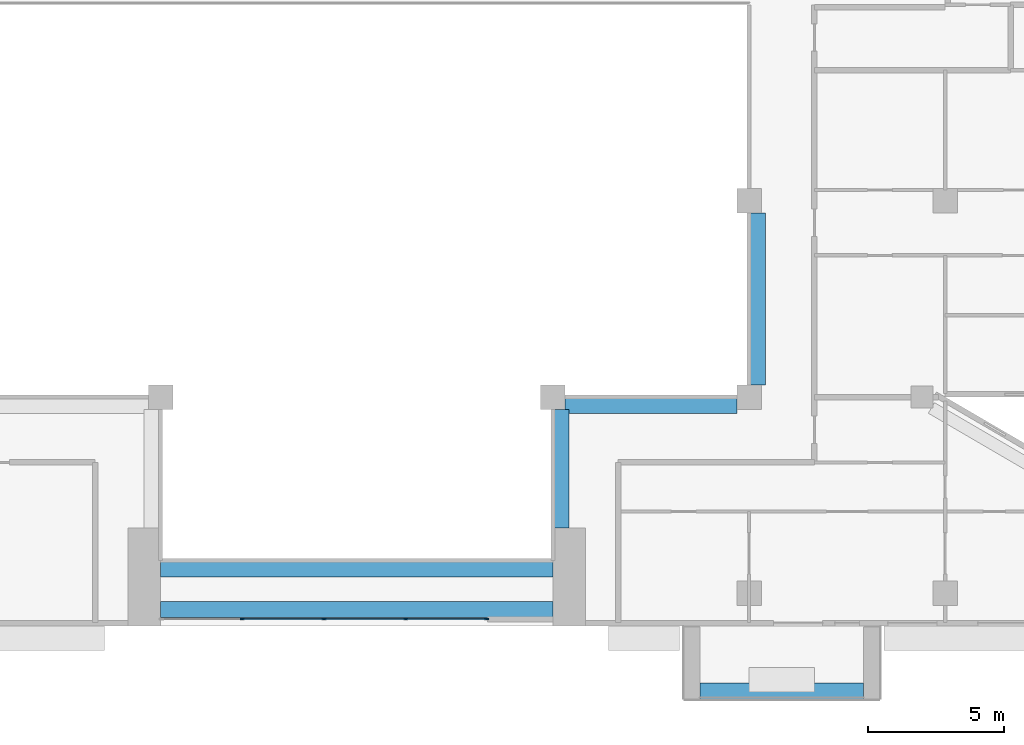
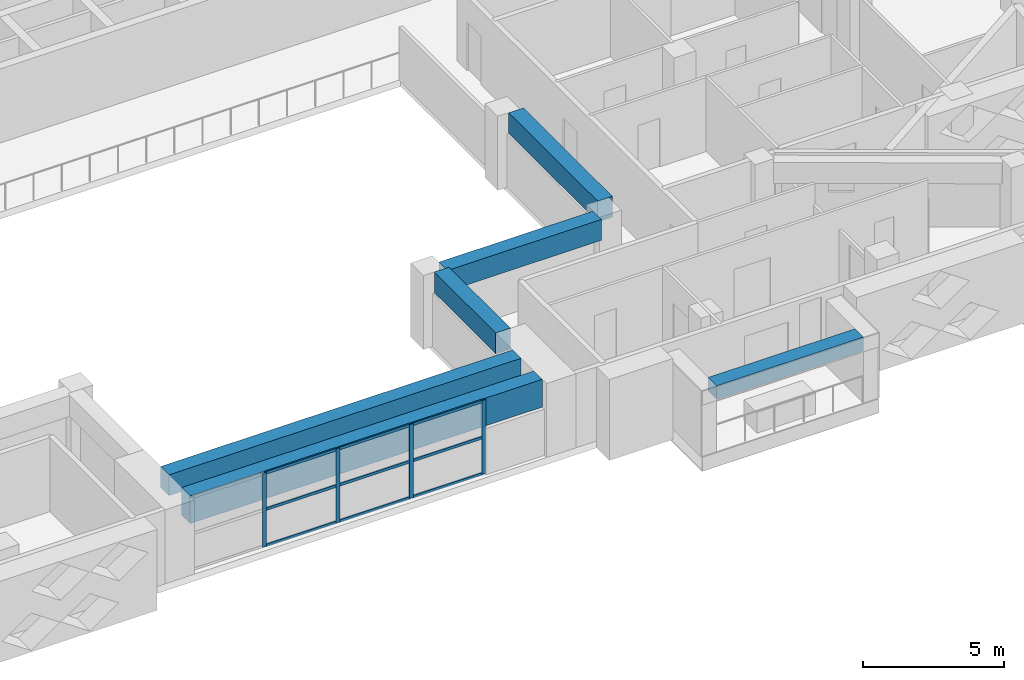
# One storey, part 4 of 20: 13 members, 6 beams, 1 element without a shape of its own.
"""IFC4 building model written with IfcOpenShell, lengths in metres."""

from ifc_helpers import new_model, si_unit, direction, frame, origin, origin_2d, place, context, subcontext, project, spatial, rectangle, extrude, source, transform, mapped, material, layer, layer_set, material_profile, profile_set, type_object, element, aggregate, save


model = new_model("IFC4")

# Units and contexts
model_context = context("Model", 3, precision=1e-05, world=origin(), true_north=direction((0.0, 1.0)))
body_context = subcontext(model_context, "Body", "Model", "MODEL_VIEW")
ifc_project = project(units=[si_unit("LENGTHUNIT", "METRE"), si_unit("AREAUNIT", "SQUARE_METRE"), si_unit("VOLUMEUNIT", "CUBIC_METRE"), si_unit("PLANEANGLEUNIT", "RADIAN"), si_unit("MASSUNIT", "GRAM", prefix="KILO")], contexts=[model_context])

# Site, building, storey
site_placement = place(None, origin())
site = spatial("IfcSite", under=ifc_project, at=site_placement, CompositionType="ELEMENT")
building_placement = place(site_placement, origin())
building = spatial("IfcBuilding", under=site, at=building_placement, Name="Saffron Iwan Residences", CompositionType="ELEMENT")
storey_placement = place(building_placement, frame((0.0, 0.0, 192.0)))
storey = spatial("IfcBuildingStorey", under=building, at=storey_placement, Name="L51", CompositionType="ELEMENT", Elevation=192.0)

# Beams
ifc_material_1 = material(Name="Concrete C50/60", Category="concrete")
ifc_material_profile_1 = material_profile(ifc_material_1, rectangle(XDim=0.60009765625, YDim=1.199951171875, at=origin_2d()), Name="RC 600x1200")
ifc_profile_set_1 = profile_set([ifc_material_profile_1], Name="Concrete C50/60")
beam_type_1 = type_object("IfcBeamType", Name="LINTEL BEAM RC 600x1200 C50/60 TOP 3200", PredefinedType="LINTEL", material=ifc_profile_set_1)
shared_shape_1 = source(origin(), body_context, "Body", "SweptSolid", [
    extrude(rectangle(XDim=0.60009765625, YDim=1.199951171875, at=origin_2d()), origin(), (0.0, 0.0, 1.0), 14.400146484375),
])
beam_1_placement = place(storey_placement, frame((57.60009765625, 40.199951171875, 2.60009765625), z_axis=(-1.0, 0.0, 0.0), x_axis=(0.0, -1.0, 0.0)))
element("IfcBeam", 1, at=beam_1_placement, inside=storey, type_object=beam_type_1, Name="Lintel beam over the iwan", PredefinedType="LINTEL", context=body_context, shape_type="MappedRepresentation", body=[
    mapped(shared_shape_1, transform((0.0, 0.0, 0.0))),
])
ifc_material_profile_2 = material_profile(ifc_material_1, rectangle(XDim=0.60009765625, YDim=0.89990234375, at=origin_2d()), Name="RC 600x900")
ifc_profile_set_2 = profile_set([ifc_material_profile_2], Name="Concrete C50/60")
beam_type_2 = type_object("IfcBeamType", Name="BEAM RC 600x900 C50/60 TOP 3200", PredefinedType="BEAM", material=ifc_profile_set_2)
shared_shape_2 = source(origin(), body_context, "Body", "SweptSolid", [
    extrude(rectangle(XDim=0.60009765625, YDim=0.89990234375, at=origin_2d()), origin(), (0.0, 0.0, 1.0), 14.400146484375),
])
beam_2_placement = place(storey_placement, frame((57.60009765625, 41.699951171875, 2.75), z_axis=(-1.0, 0.0, 0.0), x_axis=(0.0, -1.0, 0.0)))
element("IfcBeam", 2, at=beam_2_placement, inside=storey, type_object=beam_type_2, Name="Atrium edge beam", PredefinedType="BEAM", context=body_context, shape_type="MappedRepresentation", body=[
    mapped(shared_shape_2, transform((0.0, 0.0, 0.0))),
])
shared_shape_3 = source(origin(), body_context, "Body", "SweptSolid", [
    extrude(rectangle(XDim=0.60009765625, YDim=0.89990234375, at=origin_2d()), origin(), (0.0, 0.0, 1.0), 4.35009765625),
])
beam_3_placement = place(storey_placement, frame((57.89990234375, 47.550048828125, 2.75), z_axis=(0.0, -1.0, 0.0), x_axis=(1.0, 0.0, 0.0)))
element("IfcBeam", 3, at=beam_3_placement, inside=storey, type_object=beam_type_2, Name="Atrium edge beam", PredefinedType="BEAM", context=body_context, shape_type="MappedRepresentation", body=[
    mapped(shared_shape_3, transform((0.0, 0.0, 0.0))),
])
shared_shape_4 = source(origin(), body_context, "Body", "SweptSolid", [
    extrude(rectangle(XDim=0.60009765625, YDim=0.89990234375, at=origin_2d()), origin(), (0.0, 0.0, 1.0), 6.300048828125),
])
for number, where, z_axis, x_axis, name in (
    (4, (64.35009765625, 47.699951171875, 2.75), (-1.0, 0.0, 0.0), (0.0, -1.0, 0.0), "Atrium edge beam"),
    (5, (65.10009765625, 54.75, 2.75), (0.0, -1.0, 0.0), (1.0, 0.0, 0.0), "Atrium edge beam"),
):
    element("IfcBeam", number, at=place(storey_placement, frame(where, z_axis=z_axis, x_axis=x_axis)), inside=storey, type_object=beam_type_2, Name=name, PredefinedType="BEAM", context=body_context, shape_type="MappedRepresentation", body=[
        mapped(shared_shape_4, transform((0.0, 0.0, 0.0))),
    ])

# Curtain wall, members
ifc_material_2 = material(Name="Clear glass, laminated double glazed", Category="glass")
ifc_layer = layer(ifc_material_2, 0.199951171875)
ifc_layer_set = layer_set([ifc_layer], Name="Clear glass, laminated double glazed")
curtain_wall_type = type_object("IfcCurtainWallType", Name="CW-B IWAN PORTAL", PredefinedType="NOTDEFINED", material=ifc_layer_set)
curtain_wall_placement = place(storey_placement, origin())
curtain_wall = element("IfcCurtainWall", 6, at=curtain_wall_placement, inside=storey, type_object=curtain_wall_type, Name="Iwan portal glazing L51.1", PredefinedType="NOTDEFINED")
ifc_material_3 = material(Name="Aluminium 6063-T6", Category="aluminium")
ifc_material_profile_3 = material_profile(ifc_material_3, rectangle(XDim=0.06005859375, YDim=0.1201171875, at=origin_2d()), Name="CW-B TRANSOM 60 x 120")
ifc_profile_set_3 = profile_set([ifc_material_profile_3], Name="Aluminium 6063-T6")
member_type_1 = type_object("IfcMemberType", Name="CW-B TRANSOM 60 x 120", PredefinedType="USERDEFINED", material=ifc_profile_set_3)
shared_shape_5 = source(origin(), body_context, "Body", "SweptSolid", [
    extrude(rectangle(XDim=0.06005859375, YDim=0.1201171875, at=origin_2d()), origin(), (0.0, 0.0, 1.0), 2.909912109375),
])
member_1_placement = place(storey_placement, frame((52.22998046875, 39.85009765625, 0.030029296875), z_axis=(1.0, 0.0, 0.0), x_axis=(0.0, 1.0, 0.0)))
member_1 = element("IfcMember", 7, at=member_1_placement, type_object=member_type_1, Name="CW-B transom 4.1", ObjectType="TRANSOM", PredefinedType="USERDEFINED", context=body_context, shape_type="MappedRepresentation", body=[
    mapped(shared_shape_5, transform((0.0, 0.0, 0.0))),
])
member_2_placement = place(storey_placement, frame((52.22998046875, 39.85009765625, 1.60009765625), z_axis=(1.0, 0.0, 0.0), x_axis=(0.0, 1.0, 0.0)))
member_2 = element("IfcMember", 8, at=member_2_placement, type_object=member_type_1, Name="CW-B transom 4.2", ObjectType="TRANSOM", PredefinedType="USERDEFINED", context=body_context, shape_type="MappedRepresentation", body=[
    mapped(shared_shape_5, transform((0.0, 0.0, 0.0))),
])
member_3_placement = place(storey_placement, frame((52.22998046875, 39.85009765625, 3.169921875), z_axis=(1.0, 0.0, 0.0), x_axis=(0.0, 1.0, 0.0)))
member_3 = element("IfcMember", 9, at=member_3_placement, type_object=member_type_1, Name="CW-B transom 4.3", ObjectType="TRANSOM", PredefinedType="USERDEFINED", context=body_context, shape_type="MappedRepresentation", body=[
    mapped(shared_shape_5, transform((0.0, 0.0, 0.0))),
])
shared_shape_6 = source(origin(), body_context, "Body", "SweptSolid", [
    extrude(rectangle(XDim=0.06005859375, YDim=0.1201171875, at=origin_2d()), origin(), (0.0, 0.0, 1.0), 2.93994140625),
])
member_4_placement = place(storey_placement, frame((46.22998046875, 39.85009765625, 0.030029296875), z_axis=(1.0, 0.0, 0.0), x_axis=(0.0, 1.0, 0.0)))
member_4 = element("IfcMember", 10, at=member_4_placement, type_object=member_type_1, Name="CW-B transom 2.1", ObjectType="TRANSOM", PredefinedType="USERDEFINED", context=body_context, shape_type="MappedRepresentation", body=[
    mapped(shared_shape_6, transform((0.0, 0.0, 0.0))),
])
member_5_placement = place(storey_placement, frame((46.22998046875, 39.85009765625, 1.60009765625), z_axis=(1.0, 0.0, 0.0), x_axis=(0.0, 1.0, 0.0)))
member_5 = element("IfcMember", 11, at=member_5_placement, type_object=member_type_1, Name="CW-B transom 2.2", ObjectType="TRANSOM", PredefinedType="USERDEFINED", context=body_context, shape_type="MappedRepresentation", body=[
    mapped(shared_shape_6, transform((0.0, 0.0, 0.0))),
])
member_6_placement = place(storey_placement, frame((46.22998046875, 39.85009765625, 3.169921875), z_axis=(1.0, 0.0, 0.0), x_axis=(0.0, 1.0, 0.0)))
member_6 = element("IfcMember", 12, at=member_6_placement, type_object=member_type_1, Name="CW-B transom 2.3", ObjectType="TRANSOM", PredefinedType="USERDEFINED", context=body_context, shape_type="MappedRepresentation", body=[
    mapped(shared_shape_6, transform((0.0, 0.0, 0.0))),
])
member_7_placement = place(storey_placement, frame((49.22998046875, 39.85009765625, 0.030029296875), z_axis=(1.0, 0.0, 0.0), x_axis=(0.0, 1.0, 0.0)))
member_7 = element("IfcMember", 13, at=member_7_placement, type_object=member_type_1, Name="CW-B transom 3.1", ObjectType="TRANSOM", PredefinedType="USERDEFINED", context=body_context, shape_type="MappedRepresentation", body=[
    mapped(shared_shape_6, transform((0.0, 0.0, 0.0))),
])
member_8_placement = place(storey_placement, frame((49.22998046875, 39.85009765625, 1.60009765625), z_axis=(1.0, 0.0, 0.0), x_axis=(0.0, 1.0, 0.0)))
member_8 = element("IfcMember", 14, at=member_8_placement, type_object=member_type_1, Name="CW-B transom 3.2", ObjectType="TRANSOM", PredefinedType="USERDEFINED", context=body_context, shape_type="MappedRepresentation", body=[
    mapped(shared_shape_6, transform((0.0, 0.0, 0.0))),
])
member_9_placement = place(storey_placement, frame((49.22998046875, 39.85009765625, 3.169921875), z_axis=(1.0, 0.0, 0.0), x_axis=(0.0, 1.0, 0.0)))
member_9 = element("IfcMember", 15, at=member_9_placement, type_object=member_type_1, Name="CW-B transom 3.3", ObjectType="TRANSOM", PredefinedType="USERDEFINED", context=body_context, shape_type="MappedRepresentation", body=[
    mapped(shared_shape_6, transform((0.0, 0.0, 0.0))),
])

# Beam
ifc_material_4 = material(Name="Concrete C50/60 white painted", Category="concrete")
ifc_material_profile_4 = material_profile(ifc_material_4, rectangle(XDim=0.60009765625, YDim=0.60009765625, at=origin_2d()), Name="BALCONY FASCIA BEAM 600 x 600")
ifc_profile_set_4 = profile_set([ifc_material_profile_4], Name="Concrete C50/60 white painted")
beam_type_3 = type_object("IfcBeamType", Name="BALCONY FASCIA BEAM 600 x 600", PredefinedType="BEAM", material=ifc_profile_set_4)
shared_shape_7 = source(origin(), body_context, "Body", "SweptSolid", [
    extrude(rectangle(XDim=0.60009765625, YDim=0.60009765625, at=origin_2d()), origin(), (0.0, 0.0, 1.0), 6.0),
])
beam_4_placement = place(storey_placement, frame((63.0, 37.199951171875, 2.550048828125), z_axis=(1.0, 0.0, 0.0), x_axis=(0.0, 1.0, 0.0)))
element("IfcBeam", 16, at=beam_4_placement, inside=storey, type_object=beam_type_3, Name="Balcony fascia beam L51 11-2", PredefinedType="BEAM", context=body_context, shape_type="MappedRepresentation", body=[
    mapped(shared_shape_7, transform((0.0, 0.0, 0.0))),
])

# Member
ifc_material_profile_5 = material_profile(ifc_material_3, rectangle(XDim=0.06005859375, YDim=0.159912109375, at=origin_2d()), Name="CW-B MULLION 60 x 160")
ifc_profile_set_5 = profile_set([ifc_material_profile_5], Name="Aluminium 6063-T6")
member_type_2 = type_object("IfcMemberType", Name="CW-B MULLION 60 x 160", PredefinedType="MULLION", material=ifc_profile_set_5)
shared_shape_8 = source(origin(), body_context, "Body", "SweptSolid", [
    extrude(rectangle(XDim=0.06005859375, YDim=0.159912109375, at=origin_2d()), origin(), (0.0, 0.0, 1.0), 3.199951171875),
])
member_10_placement = place(storey_placement, frame((46.199951171875, 39.85009765625, 0.0), z_axis=(0.0, 0.0, 1.0), x_axis=(0.0, 1.0, 0.0)))
member_10 = element("IfcMember", 17, at=member_10_placement, type_object=member_type_2, Name="CW-B mullion 2", PredefinedType="MULLION", context=body_context, shape_type="MappedRepresentation", body=[
    mapped(shared_shape_8, transform((0.0, 0.0, 0.0))),
])

member_11_placement = place(storey_placement, frame((49.199951171875, 39.85009765625, 0.0), z_axis=(0.0, 0.0, 1.0), x_axis=(0.0, 1.0, 0.0)))
member_11 = element("IfcMember", 18, at=member_11_placement, type_object=member_type_2, Name="CW-B mullion 3", PredefinedType="MULLION", context=body_context, shape_type="MappedRepresentation", body=[
    mapped(shared_shape_8, transform((0.0, 0.0, 0.0))),
])

member_12_placement = place(storey_placement, frame((52.199951171875, 39.85009765625, 0.0), z_axis=(0.0, 0.0, 1.0), x_axis=(0.0, 1.0, 0.0)))
member_12 = element("IfcMember", 19, at=member_12_placement, type_object=member_type_2, Name="CW-B mullion 4", PredefinedType="MULLION", context=body_context, shape_type="MappedRepresentation", body=[
    mapped(shared_shape_8, transform((0.0, 0.0, 0.0))),
])

member_13_placement = place(storey_placement, frame((55.169921875, 39.85009765625, 0.0), z_axis=(0.0, 0.0, 1.0), x_axis=(0.0, 1.0, 0.0)))
member_13 = element("IfcMember", 20, at=member_13_placement, type_object=member_type_2, Name="CW-B mullion 5", PredefinedType="MULLION", context=body_context, shape_type="MappedRepresentation", body=[
    mapped(shared_shape_8, transform((0.0, 0.0, 0.0))),
])

aggregate(curtain_wall, [member_10, member_11, member_12, member_13, member_4, member_5, member_6, member_7, member_8, member_9, member_1, member_2, member_3])

save(model, "model.ifc")
